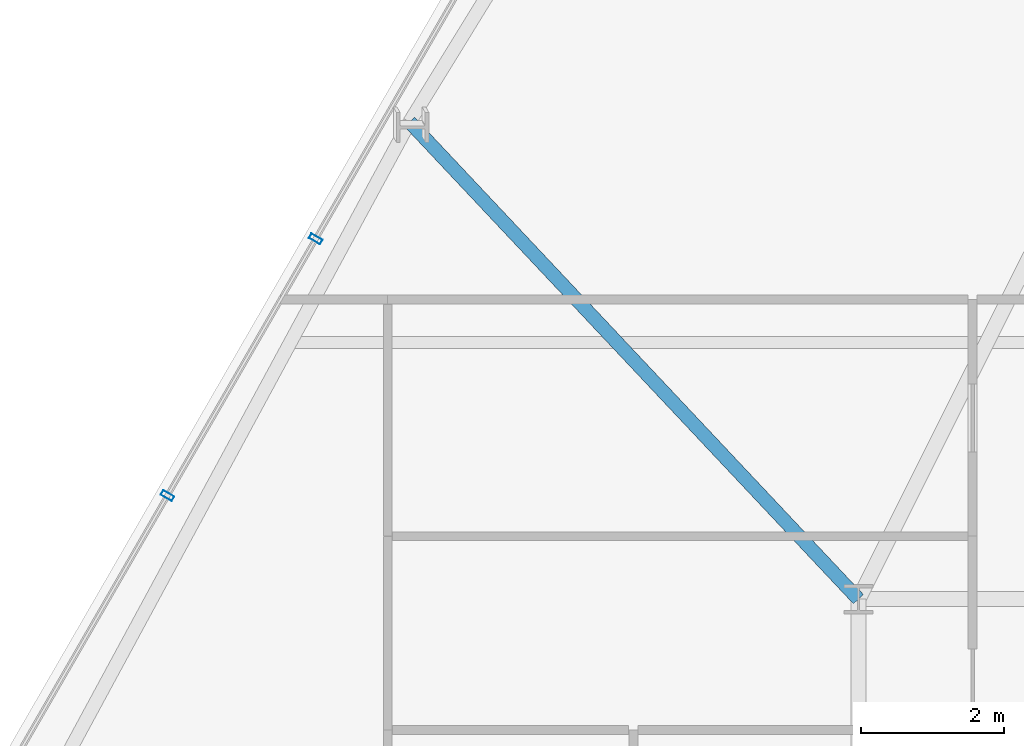
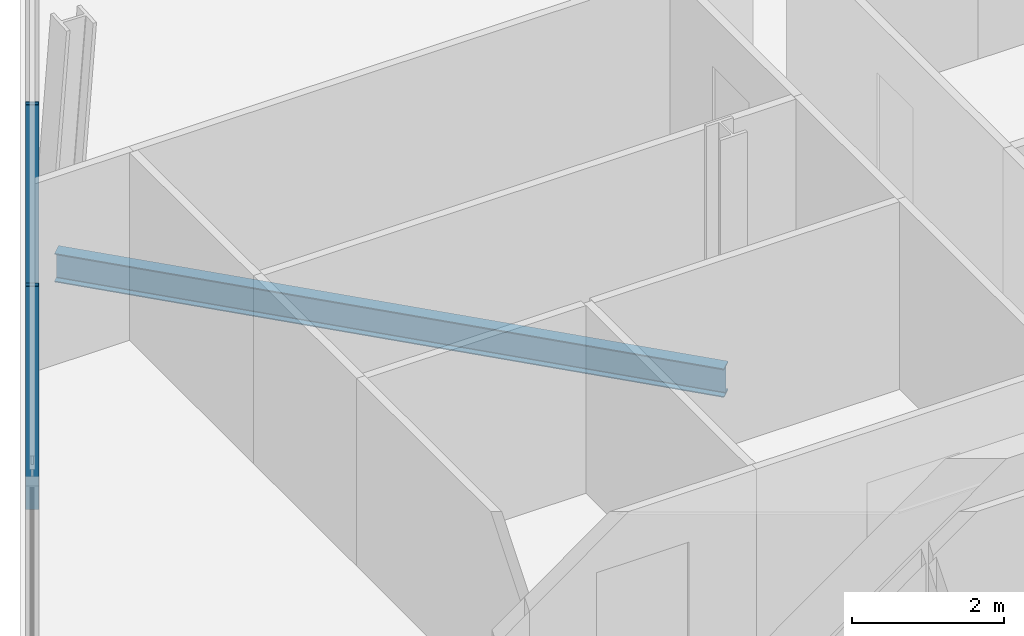
# One storey, part 11 of 35: 2 members, 1 beam, 1 element without a shape of its own.
"""IFC4 building model written with IfcOpenShell, lengths in metres."""

from ifc_helpers import new_model, si_unit, direction, frame, origin, origin_2d, place, context, subcontext, project, spatial, hollow_rectangle, i_section, extrude, material, layer, layer_set, material_profile, profile_set, type_object, element, aggregate, save


model = new_model("IFC4")

# Units and contexts
model_context = context("Model", 3, precision=1e-05, world=origin(), true_north=direction((0.0, 1.0)))
body_context = subcontext(model_context, "Body", "Model", "MODEL_VIEW")
ifc_project = project(units=[si_unit("LENGTHUNIT", "METRE"), si_unit("AREAUNIT", "SQUARE_METRE"), si_unit("VOLUMEUNIT", "CUBIC_METRE"), si_unit("PLANEANGLEUNIT", "RADIAN"), si_unit("MASSUNIT", "GRAM", prefix="KILO")], contexts=[model_context])

# Site, building, storey
site_placement = place(None, origin())
site = spatial("IfcSite", under=ifc_project, at=site_placement, CompositionType="ELEMENT")
building_placement = place(site_placement, origin())
building = spatial("IfcBuilding", under=site, at=building_placement, Name="Ndaravel Arena Tower", CompositionType="ELEMENT")
storey_placement = place(building_placement, frame((0.0, 0.0, 180.199951171875)))
storey = spatial("IfcBuildingStorey", under=building, at=storey_placement, Name="L43", CompositionType="ELEMENT", Elevation=180.199951171875)

# Beam
ifc_material_1 = material(Name="Steel S355", Category="steel")
ifc_material_profile_1 = material_profile(ifc_material_1, i_section(OverallWidth=0.19140625, OverallDepth=0.4599609375, WebThickness=0.010009765625, FlangeThickness=0.01611328125, FilletRadius=0.01025390625, at=origin_2d()), Name="UB 457x191x82")
ifc_profile_set_1 = profile_set([ifc_material_profile_1], Name="Steel S355")
beam_type = type_object("IfcBeamType", Name="BM-GIRD-UB457", PredefinedType="BEAM", material=ifc_profile_set_1)
beam_placement = place(storey_placement, frame((27.906494140625, 29.890380859375, -0.449951171875), z_axis=(0.685167351249, -0.728385681341, 0.0), x_axis=(0.728385681341, 0.685167351249, 0.0)))
element("IfcBeam", 1, at=beam_placement, inside=storey, type_object=beam_type, Name="L43 Radial Floor Girder FG-19", PredefinedType="BEAM", context=body_context, shape_type="SweptSolid", body=[
    extrude(i_section(OverallWidth=0.19140625, OverallDepth=0.4599609375, WebThickness=0.010009765625, FlangeThickness=0.01611328125, FilletRadius=0.01025390625, at=origin_2d()), origin(), (0.0, 0.0, 1.0), 9.185302734375),
])

# Curtain wall, members
ifc_material_2 = material(Name="Aluminium", Category="aluminium")
ifc_layer = layer(ifc_material_2, 0.179931640625)
ifc_layer_set = layer_set([ifc_layer], Name="Aluminium")
curtain_wall_type = type_object("IfcCurtainWallType", Name="CW-SYS-03", PredefinedType="NOTDEFINED", material=ifc_layer_set)
curtain_wall_placement = place(storey_placement, origin())
curtain_wall = element("IfcCurtainWall", 2, at=curtain_wall_placement, inside=storey, type_object=curtain_wall_type, Name="L43 Faceted Crystal Curtain Wall CW-L43-E05", PredefinedType="NOTDEFINED")
ifc_material_3 = material(Name="Aluminium", Category="aluminium")
ifc_material_profile_2 = material_profile(ifc_material_3, hollow_rectangle(XDim=0.074951171875, YDim=0.179931640625, WallThickness=0.00390625, at=origin_2d()), Name="CW MULLION 75x180x4")
ifc_profile_set_2 = profile_set([ifc_material_profile_2], Name="Aluminium")
member_type = type_object("IfcMemberType", Name="MEM-CW-MUL180", PredefinedType="MULLION", material=ifc_profile_set_2)
member_1_placement = place(storey_placement, frame((26.59033203125, 28.250732421875, 0.0), z_axis=(0.0, 0.0, 1.0), x_axis=(-0.5, -0.866025403784, 0.0)))
member_1 = element("IfcMember", 3, at=member_1_placement, type_object=member_type, Name="CW-L43-E05 Mullion 05", PredefinedType="MULLION", context=body_context, shape_type="SweptSolid", body=[
    extrude(hollow_rectangle(XDim=0.074951171875, YDim=0.179931640625, WallThickness=0.00390625, at=origin_2d()), origin(), (0.0, 0.0, 1.0), 3.580078125),
])
member_2_placement = place(storey_placement, frame((24.51220703125, 24.6513671875, 0.0), z_axis=(0.0, 0.0, 1.0), x_axis=(-0.5, -0.866025403784, 0.0)))
member_2 = element("IfcMember", 4, at=member_2_placement, type_object=member_type, Name="CW-L43-E05 Mullion 06", PredefinedType="MULLION", context=body_context, shape_type="SweptSolid", body=[
    extrude(hollow_rectangle(XDim=0.074951171875, YDim=0.179931640625, WallThickness=0.00390625, at=origin_2d()), origin(), (0.0, 0.0, 1.0), 3.580078125),
])
aggregate(curtain_wall, [member_1, member_2])

save(model, "model.ifc")
